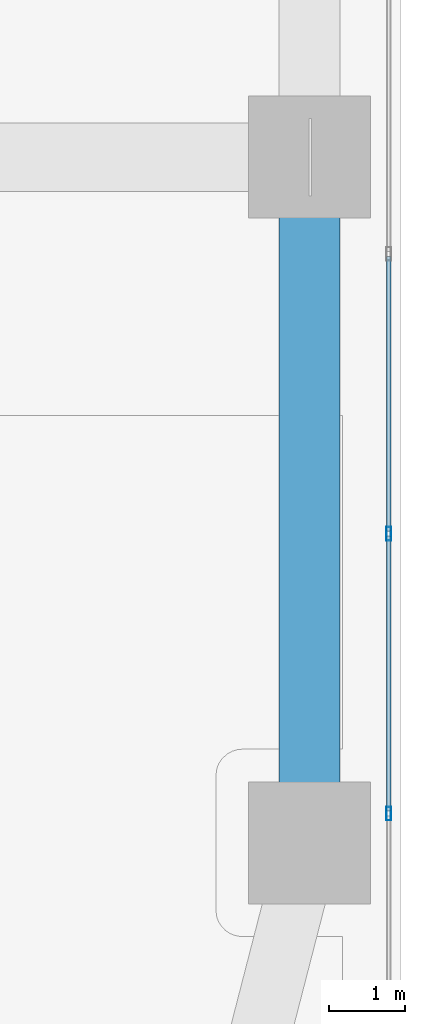
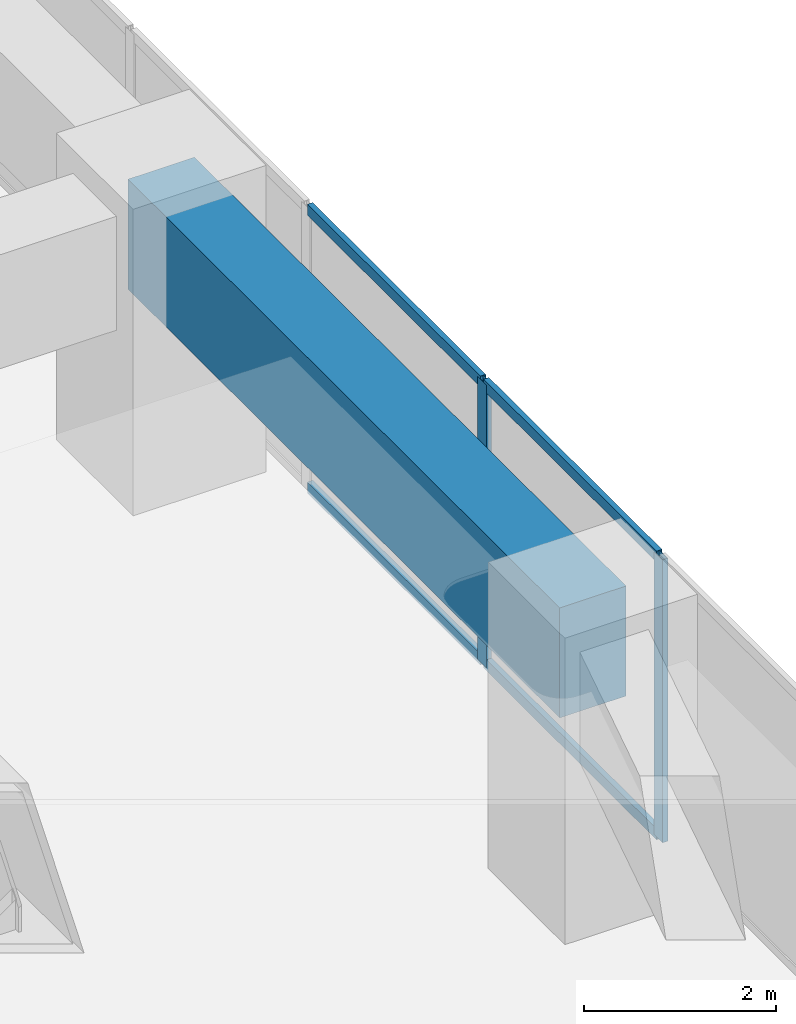
# One storey, part 6 of 28: 6 members, 1 beam, 1 element without a shape of its own.
"""IFC4 building model written with IfcOpenShell, lengths in metres."""

from ifc_helpers import new_model, si_unit, direction, frame, origin, origin_2d, place, context, subcontext, project, spatial, rectangle, hollow_rectangle, extrude, material, layer, layer_set, material_profile, profile_set, type_object, element, aggregate, save


model = new_model("IFC4")

# Units and contexts
model_context = context("Model", 3, precision=1e-05, world=origin(), true_north=direction((0.0, 1.0)))
body_context = subcontext(model_context, "Body", "Model", "MODEL_VIEW")
ifc_project = project(units=[si_unit("LENGTHUNIT", "METRE"), si_unit("AREAUNIT", "SQUARE_METRE"), si_unit("VOLUMEUNIT", "CUBIC_METRE"), si_unit("PLANEANGLEUNIT", "RADIAN"), si_unit("MASSUNIT", "GRAM", prefix="KILO")], contexts=[model_context])

# Site, building, storey
site_placement = place(None, origin())
site = spatial("IfcSite", under=ifc_project, at=site_placement, CompositionType="ELEMENT")
building_placement = place(site_placement, origin())
building = spatial("IfcBuilding", under=site, at=building_placement, Name="Kiyonajd Concourse Tower", CompositionType="ELEMENT")
storey_placement = place(building_placement, frame((0.0, 0.0, 76.800048828125)))
storey = spatial("IfcBuildingStorey", under=building, at=storey_placement, Name="L20", CompositionType="ELEMENT", Elevation=76.800048828125)

# Beam
ifc_material_1 = material(Name="Concrete C60/75", Category="concrete")
ifc_material_profile_1 = material_profile(ifc_material_1, rectangle(XDim=0.800048828125, YDim=1.39990234375, at=origin_2d()), Name="RCBM-800x1400")
ifc_profile_set_1 = profile_set([ifc_material_profile_1], Name="Concrete C60/75")
beam_type = type_object("IfcBeamType", Name="BM-XFER-RC", PredefinedType="BEAM", material=ifc_profile_set_1)
beam_placement = place(storey_placement, frame((78.0, 18.60009765625, 2.9599609375), z_axis=(0.0, 1.0, 0.0), x_axis=(-1.0, 0.0, 0.0)))
element("IfcBeam", 1, at=beam_placement, inside=storey, type_object=beam_type, Name="L20 Perimeter Bundled Tube Spandrel", PredefinedType="BEAM", context=body_context, shape_type="SweptSolid", body=[
    extrude(rectangle(XDim=0.800048828125, YDim=1.39990234375, at=origin_2d()), origin(), (0.0, 0.0, 1.0), 9.0),
])

# Curtain wall, members
ifc_material_2 = material(Name="Thermally Broken Anodised Aluminium", Category="aluminium")
ifc_layer = layer(ifc_material_2, 0.179931640625)
ifc_layer_set = layer_set([ifc_layer], Name="Thermally Broken Anodised Aluminium")
curtain_wall_type = type_object("IfcCurtainWallType", Name="CW-SYS-02", PredefinedType="NOTDEFINED", material=ifc_layer_set)
curtain_wall_placement = place(storey_placement, origin())
curtain_wall = element("IfcCurtainWall", 2, at=curtain_wall_placement, inside=storey, type_object=curtain_wall_type, Name="L20 Unitised Curtain Wall CW2", PredefinedType="NOTDEFINED")
ifc_material_profile_2 = material_profile(ifc_material_2, hollow_rectangle(XDim=0.06494140625, YDim=0.179931640625, WallThickness=0.00390625, at=origin_2d()), Name="MULL-65x180")
ifc_profile_set_2 = profile_set([ifc_material_profile_2], Name="Thermally Broken Anodised Aluminium")
member_type_1 = type_object("IfcMemberType", Name="MB-CW-MULL1", PredefinedType="MULLION", material=ifc_profile_set_2)
member_1_placement = place(storey_placement, frame((79.0400390625, 22.657470703125, 0.0), z_axis=(0.0, 0.0, 1.0), x_axis=(1.0, 0.0, 0.0)))
member_1 = element("IfcMember", 3, at=member_1_placement, type_object=member_type_1, Name="CW2 mullion 5", PredefinedType="MULLION", context=body_context, shape_type="SweptSolid", body=[
    extrude(hollow_rectangle(XDim=0.06494140625, YDim=0.179931640625, WallThickness=0.00390625, at=origin_2d()), origin(), (0.0, 0.0, 1.0), 3.599853515625),
])
member_2_placement = place(storey_placement, frame((79.0400390625, 18.984130859375, 0.0), z_axis=(0.0, 0.0, 1.0), x_axis=(1.0, 0.0, 0.0)))
member_2 = element("IfcMember", 4, at=member_2_placement, type_object=member_type_1, Name="CW2 mullion 6", PredefinedType="MULLION", context=body_context, shape_type="SweptSolid", body=[
    extrude(hollow_rectangle(XDim=0.06494140625, YDim=0.179931640625, WallThickness=0.00390625, at=origin_2d()), origin(), (0.0, 0.0, 1.0), 3.599853515625),
])
ifc_material_profile_3 = material_profile(ifc_material_2, hollow_rectangle(XDim=0.06494140625, YDim=0.139892578125, WallThickness=0.00390625, at=origin_2d()), Name="TRAN-65x140")
ifc_profile_set_3 = profile_set([ifc_material_profile_3], Name="Thermally Broken Anodised Aluminium")
member_type_2 = type_object("IfcMemberType", Name="MB-CW-TRAN1", PredefinedType="USERDEFINED", material=ifc_profile_set_3)
member_3_placement = place(storey_placement, frame((79.0400390625, 26.298095703125, 0.032470703125), z_axis=(0.0, -1.0, 0.0), x_axis=(1.0, 0.0, 0.0)))
member_3 = element("IfcMember", 5, at=member_3_placement, type_object=member_type_2, Name="CW2 transom 4.1", ObjectType="TRANSOM", PredefinedType="USERDEFINED", context=body_context, shape_type="SweptSolid", body=[
    extrude(hollow_rectangle(XDim=0.06494140625, YDim=0.139892578125, WallThickness=0.00390625, at=origin_2d()), origin(), (0.0, 0.0, 1.0), 3.608154296875),
])
member_4_placement = place(storey_placement, frame((79.0400390625, 26.298095703125, 3.5673828125), z_axis=(0.0, -1.0, 0.0), x_axis=(1.0, 0.0, 0.0)))
member_4 = element("IfcMember", 6, at=member_4_placement, type_object=member_type_2, Name="CW2 transom 4.2", ObjectType="TRANSOM", PredefinedType="USERDEFINED", context=body_context, shape_type="SweptSolid", body=[
    extrude(hollow_rectangle(XDim=0.06494140625, YDim=0.139892578125, WallThickness=0.00390625, at=origin_2d()), origin(), (0.0, 0.0, 1.0), 3.608154296875),
])
member_5_placement = place(storey_placement, frame((79.0400390625, 22.625, 0.032470703125), z_axis=(0.0, -1.0, 0.0), x_axis=(1.0, 0.0, 0.0)))
member_5 = element("IfcMember", 7, at=member_5_placement, type_object=member_type_2, Name="CW2 transom 5.1", ObjectType="TRANSOM", PredefinedType="USERDEFINED", context=body_context, shape_type="SweptSolid", body=[
    extrude(hollow_rectangle(XDim=0.06494140625, YDim=0.139892578125, WallThickness=0.00390625, at=origin_2d()), origin(), (0.0, 0.0, 1.0), 3.608154296875),
])
member_6_placement = place(storey_placement, frame((79.0400390625, 22.625, 3.5673828125), z_axis=(0.0, -1.0, 0.0), x_axis=(1.0, 0.0, 0.0)))
member_6 = element("IfcMember", 8, at=member_6_placement, type_object=member_type_2, Name="CW2 transom 5.2", ObjectType="TRANSOM", PredefinedType="USERDEFINED", context=body_context, shape_type="SweptSolid", body=[
    extrude(hollow_rectangle(XDim=0.06494140625, YDim=0.139892578125, WallThickness=0.00390625, at=origin_2d()), origin(), (0.0, 0.0, 1.0), 3.608154296875),
])
aggregate(curtain_wall, [member_1, member_2, member_3, member_4, member_5, member_6])

save(model, "model.ifc")
